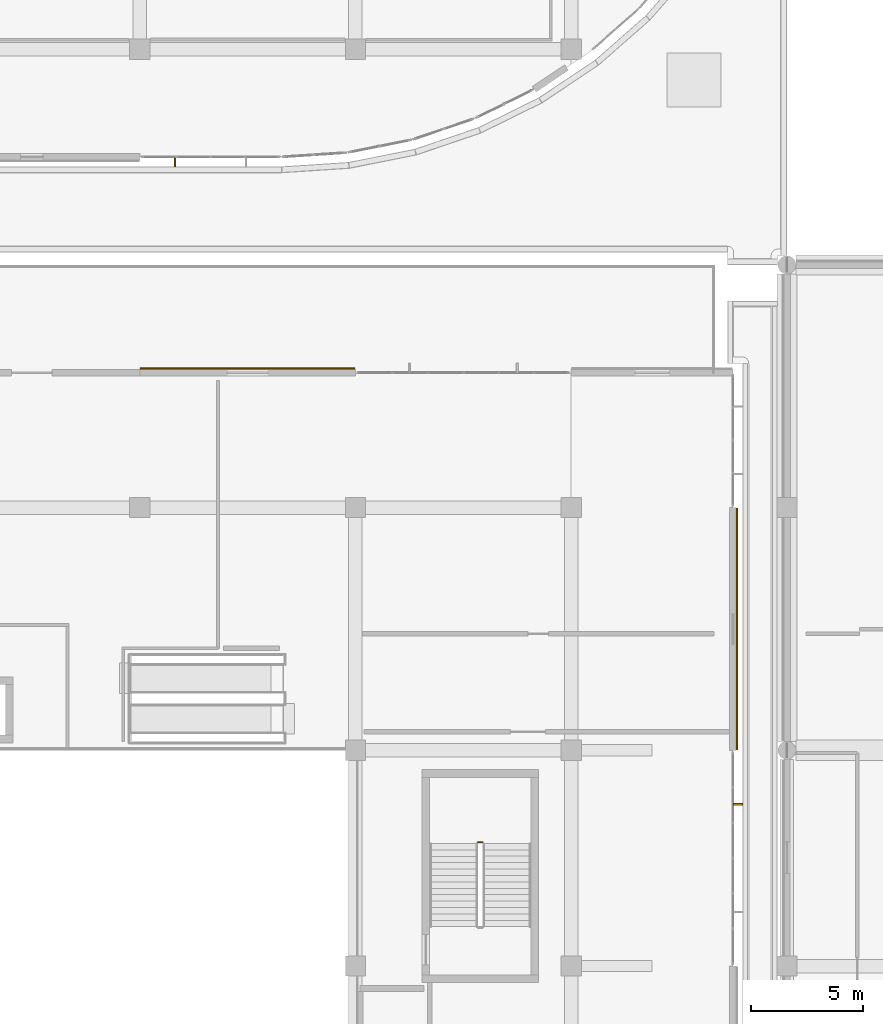
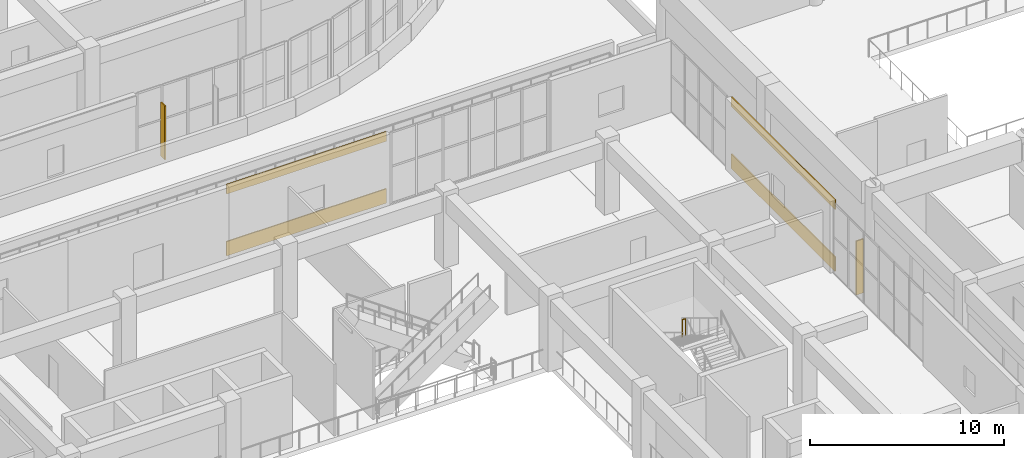
# One storey, part 80 of 96: 4 coverings, 2 shading devices, 1 railing.
"""IFC4 building model written with IfcOpenShell, lengths in metres."""

import ifcopenshell
import ifcopenshell.guid

model = None  # the IFC model being written
_history = None  # IfcOwnerHistory: only IFC2X3 demands one
_inside = {}  # id of a spatial element -> (the spatial element, [elements in it])
_under = {}  # id of a project, library or spatial element -> (it, [spatial elements below it])
_declared = {}  # id of a project -> (the project, [libraries it declares])
_typed = {}  # id of a type object -> (the type object, [elements of that type])
_made_of = {}  # id of a material, layer set ... -> (it, [elements and type objects made of it])


def new_model(schema):
    """Start an empty IFC model of exactly this schema.

    Asked for "IFC4X3", IfcOpenShell would pick the latest addendum, in which some entities
    have other attributes; the version numbers below select the first issue.
    IFC2X3 requires an IfcOwnerHistory on every rooted entity: one is made here for all.
    """
    global model, _history
    if schema == "IFC4X3":
        model = ifcopenshell.file(schema_version=(4, 3, 0, 0))
    else:
        model = ifcopenshell.file(schema=schema)
    _inside.clear()
    _under.clear()
    _declared.clear()
    _typed.clear()
    _made_of.clear()
    _history = None
    if model.schema == "IFC2X3":
        org = make("IfcOrganization", Name="unknown")
        user = make(
            "IfcPersonAndOrganization",
            ThePerson=make("IfcPerson", FamilyName="unknown"),
            TheOrganization=org,
        )
        app = make(
            "IfcApplication",
            ApplicationDeveloper=org,
            Version="unknown",
            ApplicationFullName="unknown",
            ApplicationIdentifier="unknown",
        )
        _history = make(
            "IfcOwnerHistory",
            OwningUser=user,
            OwningApplication=app,
            ChangeAction="ADDED",
            CreationDate=0,
        )
    return model


def make(cls, **values):
    """One entity of the class cls with the attributes given. An attribute that is None is left unset."""
    return model.create_entity(
        cls, **{name: value for name, value in values.items() if value is not None}
    )


def rooted(cls, **values):
    """An entity with a GlobalId (a new one), such as an element, a storey or a relation."""
    return make(cls, GlobalId=ifcopenshell.guid.new(), OwnerHistory=_history, **values)


def si_unit(unit_type, name, prefix=None):
    """IfcSIUnit, for example si_unit("LENGTHUNIT", "METRE", prefix="MILLI")."""
    return make("IfcSIUnit", UnitType=unit_type, Prefix=prefix, Name=name)


def assignment(units):
    """IfcUnitAssignment: the units of a project."""
    return None if units is None else make("IfcUnitAssignment", Units=units)


def point(xyz):
    """IfcCartesianPoint."""
    return None if xyz is None else make("IfcCartesianPoint", Coordinates=xyz)


def direction(xyz):
    """IfcDirection."""
    return None if xyz is None else make("IfcDirection", DirectionRatios=xyz)


def frame(location, z_axis=None, x_axis=None):
    """IfcAxis2Placement3D, a coordinate frame: its origin and axes. An axis left out is left unset."""
    return make(
        "IfcAxis2Placement3D",
        Location=point(location),
        Axis=direction(z_axis),
        RefDirection=direction(x_axis),
    )


def frame_2d(location, x_axis=None):
    """IfcAxis2Placement2D, a coordinate frame in the plane: its origin and x axis."""
    return make(
        "IfcAxis2Placement2D", Location=point(location), RefDirection=direction(x_axis)
    )


def origin():
    """The frame at (0, 0, 0) with its axes left unset."""
    return frame((0.0, 0.0, 0.0))


def origin_2d():
    """The frame at (0, 0) in the plane with its x axis left unset."""
    return frame_2d((0.0, 0.0))


def place(relative_to, where):
    """IfcLocalPlacement: puts the frame where relative to a parent placement (None: the world)."""
    return make(
        "IfcLocalPlacement", PlacementRelTo=relative_to, RelativePlacement=where
    )


def context(
    kind, dimensions, precision=None, world=None, true_north=None, identifier=None
):
    """IfcGeometricRepresentationContext, for example the 3D "Model" context."""
    return make(
        "IfcGeometricRepresentationContext",
        ContextIdentifier=identifier,
        ContextType=kind,
        CoordinateSpaceDimension=dimensions,
        Precision=precision,
        WorldCoordinateSystem=world,
        TrueNorth=true_north,
    )


def subcontext(parent, identifier, kind, view, scale=None):
    """IfcGeometricRepresentationSubContext, for example "Body" below "Model"."""
    return make(
        "IfcGeometricRepresentationSubContext",
        ContextIdentifier=identifier,
        ContextType=kind,
        ParentContext=parent,
        TargetScale=scale,
        TargetView=view,
    )


def project(units=None, contexts=None):
    """IfcProject with its units and contexts."""
    return rooted(
        "IfcProject",
        Name="project",
        RepresentationContexts=contexts,
        UnitsInContext=assignment(units),
    )


def spatial(cls, under=None, at=None, **own):
    """A site, building, storey or space (cls), placed at a placement, below another one or the project."""
    s = rooted(cls, ObjectPlacement=at, **own)
    if under is not None:
        _under.setdefault(under.id(), (under, []))[1].append(s)
    return s


def profile(cls, at=None, kind="AREA", **sizes):
    """A parametric profile (cls). Its sizes go by their IFC names, for example OverallWidth=200.0."""
    return make(cls, ProfileType=kind, Position=at, **sizes)


def rectangle(**sizes):
    """IfcRectangleProfileDef."""
    return profile("IfcRectangleProfileDef", **sizes)


def circle(**sizes):
    """IfcCircleProfileDef."""
    return profile("IfcCircleProfileDef", **sizes)


def extrude(swept, where, along, depth):
    """IfcExtrudedAreaSolid: the profile swept, set in the frame where, extruded along a direction by depth."""
    return make(
        "IfcExtrudedAreaSolid",
        SweptArea=swept,
        Position=where,
        ExtrudedDirection=direction(along),
        Depth=depth,
    )


def shape(context_of_items, identifier, shape_type, items):
    """IfcShapeRepresentation: the items that make up one representation, for example the "Body"."""
    return make(
        "IfcShapeRepresentation",
        ContextOfItems=context_of_items,
        RepresentationIdentifier=identifier,
        RepresentationType=shape_type,
        Items=items,
    )


def material(Name=None, Category=None):
    """IfcMaterial."""
    return make("IfcMaterial", Name=Name, Category=Category)


def layer(
    of_material, thickness, ventilated=None, Name=None, Category=None, Priority=None
):
    """IfcMaterialLayer: one layer of a wall or slab, of a material (None: an air gap)."""
    return make(
        "IfcMaterialLayer",
        Material=of_material,
        LayerThickness=thickness,
        IsVentilated=ventilated,
        Name=Name,
        Category=Category,
        Priority=Priority,
    )


def layer_set(layers, Name=None):
    """IfcMaterialLayerSet."""
    return make("IfcMaterialLayerSet", MaterialLayers=layers, LayerSetName=Name)


def made_of(thing, what):
    """Note that an element or type object is made of a material, layer set ...; save() writes the relation."""
    if what is not None:
        _made_of.setdefault(what.id(), (what, []))[1].append(thing)
    return thing


def type_object(cls, material=None, **own):
    """A type object (cls), such as IfcWallType, which elements share."""
    return made_of(rooted(cls, **own), material)


def element(
    cls,
    number,
    at=None,
    inside=None,
    cuts=None,
    type_object=None,
    material=None,
    context=None,
    identifier="Body",
    shape_type=None,
    held_by="IfcProductDefinitionShape",
    body=None,
    shapes=None,
    **own,
):
    """One element of the class cls, such as IfcWall. Its Tag is "e" and its number.

    at: its placement. inside: the storey or other place that contains it. cuts: it is an
    opening in that element (IfcRelVoidsElement). A single representation is given by context,
    identifier, shape_type and body (its items); several are given by shapes. held_by: the class
    of the entity that holds the representations. save() writes the other relations.
    """
    e = rooted(cls, Tag="e%d" % number, ObjectPlacement=at, **own)
    if body is not None:
        shapes = [shape(context, identifier, shape_type, body)]
    if shapes is not None:
        e.Representation = make(held_by, Representations=shapes)
    if inside is not None:
        _inside.setdefault(inside.id(), (inside, []))[1].append(e)
    if cuts is not None:
        rooted(
            "IfcRelVoidsElement", RelatingBuildingElement=cuts, RelatedOpeningElement=e
        )
    if type_object is not None:
        _typed.setdefault(type_object.id(), (type_object, []))[1].append(e)
    return made_of(e, material)


def aggregate(whole, parts):
    """IfcRelAggregates: a whole, such as a stair, and the parts it consists of."""
    return rooted("IfcRelAggregates", RelatingObject=whole, RelatedObjects=parts)


def save(model, path):
    """Write the relations noted so far, then the file.

    IfcRelAggregates (storeys below a building ...), IfcRelContainedInSpatialStructure (elements
    in a storey), IfcRelDefinesByType, IfcRelAssociatesMaterial and IfcRelDeclares: one each for
    every whole, place, type object, material and project.
    """
    for whole, parts in _under.values():
        aggregate(whole, parts)
    for where, things in _inside.values():
        rooted(
            "IfcRelContainedInSpatialStructure",
            RelatedElements=things,
            RelatingStructure=where,
        )
    for kind, things in _typed.values():
        rooted("IfcRelDefinesByType", RelatedObjects=things, RelatingType=kind)
    for what, things in _made_of.values():
        rooted("IfcRelAssociatesMaterial", RelatedObjects=things, RelatingMaterial=what)
    for by, libraries in _declared.values():
        rooted("IfcRelDeclares", RelatingContext=by, RelatedDefinitions=libraries)
    model.write(path)


model = new_model("IFC4")

# Units and contexts
model_context = context("Model", 3, precision=1e-05, world=origin(), true_north=direction((0.0, 1.0)))
body_context = subcontext(model_context, "Body", "Model", "MODEL_VIEW")
ifc_project = project(units=[si_unit("LENGTHUNIT", "METRE"), si_unit("AREAUNIT", "SQUARE_METRE"), si_unit("VOLUMEUNIT", "CUBIC_METRE"), si_unit("PLANEANGLEUNIT", "RADIAN"), si_unit("MASSUNIT", "GRAM", prefix="KILO")], contexts=[model_context])

# Site, building, storey
site_placement = place(None, origin())
site = spatial("IfcSite", under=ifc_project, at=site_placement, CompositionType="ELEMENT")
building_placement = place(site_placement, origin())
building = spatial("IfcBuilding", under=site, at=building_placement, Name="Cendralis Terraced Arcade", CompositionType="ELEMENT")
storey_placement = place(building_placement, frame((0.0, 0.0, 10.199951171875)))
storey = spatial("IfcBuildingStorey", under=building, at=storey_placement, Name="L02", CompositionType="ELEMENT", Elevation=10.199951171875)

# Coverings
ifc_material_1 = material(Name="Precast concrete f'c 40 MPa", Category="concrete")
ifc_layer = layer(ifc_material_1, 0.06494140625, Name="COV-CLAD-GRC-65")
ifc_layer_set = layer_set([ifc_layer], Name="Precast concrete f'c 40 MPa")
covering_type = type_object("IfcCoveringType", Name="COV-CLAD-GRC-65", PredefinedType="CLADDING", material=ifc_layer_set)
covering_1_placement = place(storey_placement, frame((43.199951171875, 55.3798828125, 0.0), z_axis=(0.0, 0.0, 1.0), x_axis=(1.0, 0.0, 0.0)))
element("IfcCovering", 1, at=covering_1_placement, inside=storey, type_object=covering_type, Name="Banded Precast Stone Spandrel Cladding L02-323", PredefinedType="CLADDING", context=body_context, shape_type="SweptSolid", body=[
    extrude(rectangle(XDim=9.5400390625, YDim=0.06494140625, at=origin_2d()), origin(), (0.0, 0.0, 1.0), 0.89990234375),
])
covering_2_placement = place(storey_placement, frame((43.199951171875, 55.3798828125, 3.89501953125), z_axis=(0.0, 0.0, 1.0), x_axis=(1.0, 0.0, 0.0)))
element("IfcCovering", 2, at=covering_2_placement, inside=storey, type_object=covering_type, Name="Banded Precast Stone Lintel Cladding L02-324", PredefinedType="CLADDING", context=body_context, shape_type="SweptSolid", body=[
    extrude(rectangle(XDim=9.5400390625, YDim=0.06494140625, at=origin_2d()), origin(), (0.0, 0.0, 1.0), 0.60009765625),
])
covering_3_placement = place(storey_placement, frame((64.97998046875, 43.800048828125, 0.0), z_axis=(0.0, 0.0, 1.0), x_axis=(0.0, -1.0, 0.0)))
element("IfcCovering", 3, at=covering_3_placement, inside=storey, type_object=covering_type, Name="Banded Precast Stone Spandrel Cladding L02-327", PredefinedType="CLADDING", context=body_context, shape_type="SweptSolid", body=[
    extrude(rectangle(XDim=10.739990234375, YDim=0.06494140625, at=origin_2d()), origin(), (0.0, 0.0, 1.0), 0.89990234375),
])
covering_4_placement = place(storey_placement, frame((64.97998046875, 43.800048828125, 3.89501953125), z_axis=(0.0, 0.0, 1.0), x_axis=(0.0, -1.0, 0.0)))
element("IfcCovering", 4, at=covering_4_placement, inside=storey, type_object=covering_type, Name="Banded Precast Stone Lintel Cladding L02-328", PredefinedType="CLADDING", context=body_context, shape_type="SweptSolid", body=[
    extrude(rectangle(XDim=10.739990234375, YDim=0.06494140625, at=origin_2d()), origin(), (0.0, 0.0, 1.0), 0.60009765625),
])

# Railing
ifc_material_2 = material(Name="Brushed stainless steel AISI 316", Category="steel")
railing_type = type_object("IfcRailingType", Name="RL-STAIR-GUARD-1100", PredefinedType="GUARDRAIL", material=ifc_material_2)
railing_placement = place(storey_placement, frame((53.64990234375, 34.304931640625, 2.400146484375)))
element("IfcRailing", 5, at=railing_placement, inside=storey, type_object=railing_type, Name="L02 ST-04 stair guard 2", PredefinedType="GUARDRAIL", context=body_context, shape_type="SweptSolid", body=[
    extrude(circle(Radius=0.02392578125, at=origin_2d()), frame((0.0, 0.0, 1.076171875), z_axis=(-1.0, 0.0, 0.0), x_axis=(0.0, -1.0, 0.0)), (0.0, 0.0, 1.0), 0.199951171875),
    extrude(circle(Radius=0.02099609375, at=origin_2d()), origin(), (0.0, 0.0, 1.0), 1.052001953125),
    extrude(circle(Radius=0.02099609375, at=origin_2d()), frame((-0.199951171875, 0.0, 0.0)), (0.0, 0.0, 1.0), 1.052001953125),
])

# Shading devices
ifc_material_3 = material(Name="Anodised aluminium EN AW-6063 T6", Category="aluminium")
shading_device_type = type_object("IfcShadingDeviceType", Name="SHD-FIN-420", PredefinedType="USERDEFINED", material=ifc_material_3)
for number, where, z_axis, x_axis, name in (
    (6, (39.97509765625, 64.5849609375, 0.050048828125), (0.0, 0.0, 1.0), (-1.0, 0.0, 0.0), "Parametric Vertical Solar Fin FIN-L02-046"),
    (7, (65.014892578125, 36.0, 0.050048828125), (0.0, 0.0, 1.0), (0.0, -1.0, 0.0), "Parametric Vertical Solar Fin FIN-L02-093"),
):
    element("IfcShadingDevice", number, at=place(storey_placement, frame(where, z_axis=z_axis, x_axis=x_axis)), inside=storey, type_object=shading_device_type, Name=name, ObjectType="FIN", PredefinedType="USERDEFINED", context=body_context, shape_type="SweptSolid", body=[
        extrude(rectangle(XDim=0.074951171875, YDim=0.419921875, at=origin_2d()), origin(), (0.0, 0.0, 1.0), 3.39990234375),
    ])

save(model, "model.ifc")
